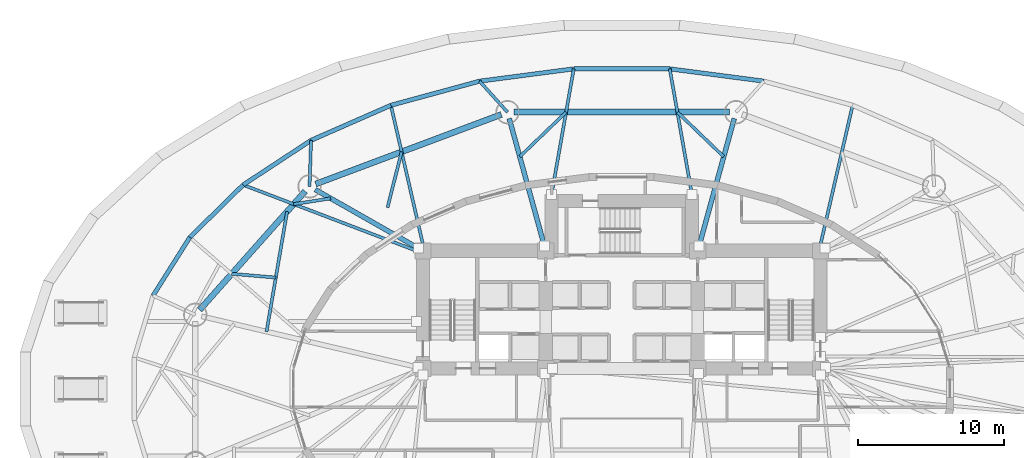
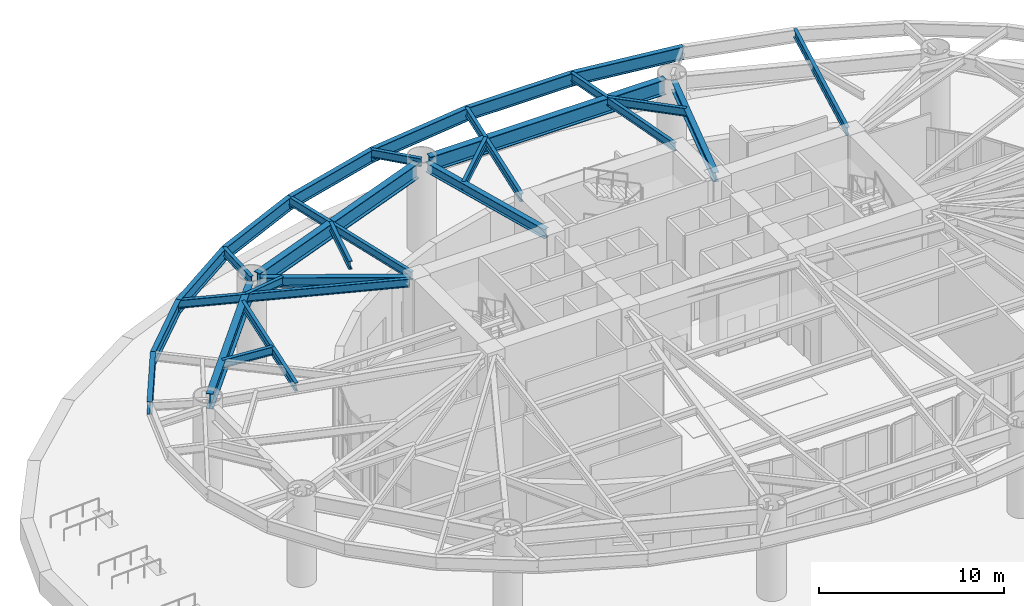
# One storey, part 8 of 21: 27 beams.
"""IFC4 building model written with IfcOpenShell, lengths in metres."""

from ifc_helpers import new_model, si_unit, direction, frame, origin, origin_2d, place, context, subcontext, project, spatial, i_section, extrude, material, material_profile, profile_set, type_object, element, save


model = new_model("IFC4")

# Units and contexts
model_context = context("Model", 3, precision=1e-05, world=origin(), true_north=direction((0.0, 1.0)))
body_context = subcontext(model_context, "Body", "Model", "MODEL_VIEW")
ifc_project = project(units=[si_unit("LENGTHUNIT", "METRE"), si_unit("AREAUNIT", "SQUARE_METRE"), si_unit("VOLUMEUNIT", "CUBIC_METRE"), si_unit("PLANEANGLEUNIT", "RADIAN"), si_unit("MASSUNIT", "GRAM", prefix="KILO")], contexts=[model_context])

# Site, building, storey
site_placement = place(None, origin())
site = spatial("IfcSite", under=ifc_project, at=site_placement, CompositionType="ELEMENT")
building_placement = place(site_placement, origin())
building = spatial("IfcBuilding", under=site, at=building_placement, Name="Keldmark Tower", CompositionType="ELEMENT")
storey_placement = place(building_placement, origin())
storey = spatial("IfcBuildingStorey", under=building, at=storey_placement, Name="L00", CompositionType="ELEMENT", Elevation=0.0)

# Beams
ifc_material_1 = material(Name="Steel ASTM A992 Grade 50", Category="steel")
ifc_material_profile_1 = material_profile(ifc_material_1, i_section(OverallWidth=0.402099609375, OverallDepth=1.011962890625, WebThickness=0.023681640625, FlangeThickness=0.0419921875, at=origin_2d()), Name="W40X297")
ifc_profile_set_1 = profile_set([ifc_material_profile_1], Name="Steel ASTM A992 Grade 50")
beam_type_1 = type_object("IfcBeamType", Name="Podium Primary Girder W40X297", PredefinedType="BEAM", material=ifc_profile_set_1)
beam_1_placement = place(storey_placement, frame((7.3662109375, 18.93212890625, 5.27392578125), z_axis=(-1.0, 0.0, 0.0), x_axis=(0.0, -1.0, 0.0)))
element("IfcBeam", 1, at=beam_1_placement, inside=storey, type_object=beam_type_1, Name="L00 Podium Ring Girder PG-R03", PredefinedType="BEAM", context=body_context, shape_type="SweptSolid", body=[
    extrude(i_section(OverallWidth=0.402099609375, OverallDepth=1.011962890625, WebThickness=0.023681640625, FlangeThickness=0.0419921875, at=origin_2d()), origin(), (0.0, 0.0, 1.0), 14.732421875),
])
beam_2_placement = place(storey_placement, frame((-8.23779296875, 18.774169921875, 5.27392578125), z_axis=(-0.936417954382, -0.350886612329, 0.0), x_axis=(0.350886612329, -0.936417954382, 0.0)))
element("IfcBeam", 2, at=beam_2_placement, inside=storey, type_object=beam_type_1, Name="L00 Podium Ring Girder PG-R04", PredefinedType="BEAM", context=body_context, shape_type="SweptSolid", body=[
    extrude(i_section(OverallWidth=0.402099609375, OverallDepth=1.011962890625, WebThickness=0.023681640625, FlangeThickness=0.0419921875, at=origin_2d()), origin(), (0.0, 0.0, 1.0), 13.557373046875),
])
beam_3_placement = place(storey_placement, frame((-21.65380859375, 13.523193359375, 5.27392578125), z_axis=(-0.66464984112, -0.747154996436, 0.0), x_axis=(0.747154996436, -0.66464984112, 0.0)))
element("IfcBeam", 3, at=beam_3_placement, inside=storey, type_object=beam_type_1, Name="L00 Podium Ring Girder PG-R05", PredefinedType="BEAM", context=body_context, shape_type="SweptSolid", body=[
    extrude(i_section(OverallWidth=0.402099609375, OverallDepth=1.011962890625, WebThickness=0.023681640625, FlangeThickness=0.0419921875, at=origin_2d()), origin(), (0.0, 0.0, 1.0), 10.85986328125),
])
ifc_material_2 = material(Name="Steel ASTM A992 Grade 50", Category="steel")
ifc_material_profile_2 = material_profile(ifc_material_2, i_section(OverallWidth=0.2099609375, OverallDepth=0.537109375, WebThickness=0.010986328125, FlangeThickness=0.017333984375, at=origin_2d()), Name="W21X68")
ifc_profile_set_2 = profile_set([ifc_material_profile_2], Name="Steel ASTM A992 Grade 50")
beam_type_2 = type_object("IfcBeamType", Name="Radial Tie Girder W21X68", PredefinedType="BEAM", material=ifc_profile_set_2)
beam_4_placement = place(storey_placement, frame((-24.29541015625, 3.9228515625, 5.511474609375), z_axis=(0.168727090465, 0.985662806919, 0.0), x_axis=(-0.985662806919, 0.168727090465, 0.0)))
element("IfcBeam", 4, at=beam_4_placement, inside=storey, type_object=beam_type_2, Name="L00 Framing Pin Header PH-002", PredefinedType="BEAM", context=body_context, shape_type="SweptSolid", body=[
    extrude(i_section(OverallWidth=0.2099609375, OverallDepth=0.537109375, WebThickness=0.010986328125, FlangeThickness=0.017333984375, at=origin_2d()), origin(), (0.0, 0.0, 1.0), 8.330078125),
])
beam_5_placement = place(storey_placement, frame((13.60009765625, 9.89990234375, 5.511474609375), z_axis=(0.224740658325, 0.974418614608, 0.0), x_axis=(-0.974418614608, 0.224740658325, 0.0)))
element("IfcBeam", 5, at=beam_5_placement, inside=storey, type_object=beam_type_2, Name="L00 Perimeter Radial Tie Girder RT-06", PredefinedType="BEAM", context=body_context, shape_type="SweptSolid", body=[
    extrude(i_section(OverallWidth=0.2099609375, OverallDepth=0.537109375, WebThickness=0.010986328125, FlangeThickness=0.017333984375, at=origin_2d()), origin(), (0.0, 0.0, 1.0), 9.751953125),
])
beam_6_placement = place(storey_placement, frame((6.9755859375, 15.885009765625, 5.511474609375), z_axis=(-0.720880013375, 0.69305988653, 0.0), x_axis=(-0.69305988653, -0.720880013375, 0.0)))
element("IfcBeam", 6, at=beam_6_placement, inside=storey, type_object=beam_type_2, Name="L00 Framing Pin Header PH-009", PredefinedType="BEAM", context=body_context, shape_type="SweptSolid", body=[
    extrude(i_section(OverallWidth=0.2099609375, OverallDepth=0.537109375, WebThickness=0.010986328125, FlangeThickness=0.017333984375, at=origin_2d()), origin(), (0.0, 0.0, 1.0), 4.396728515625),
])
beam_7_placement = place(storey_placement, frame((4.800048828125, 13.300048828125, 5.511474609375), z_axis=(-0.173759798583, 0.984788064711, 0.0), x_axis=(-0.984788064711, -0.173759798583, 0.0)))
element("IfcBeam", 7, at=beam_7_placement, inside=storey, type_object=beam_type_2, Name="L00 Perimeter Radial Tie Girder RT-08", PredefinedType="BEAM", context=body_context, shape_type="SweptSolid", body=[
    extrude(i_section(OverallWidth=0.2099609375, OverallDepth=0.537109375, WebThickness=0.010986328125, FlangeThickness=0.017333984375, at=origin_2d()), origin(), (0.0, 0.0, 1.0), 8.726806640625),
])
beam_8_placement = place(storey_placement, frame((-6.9755859375, 15.885009765625, 5.511474609375), z_axis=(0.720880013375, 0.69305988653, 0.0), x_axis=(-0.69305988653, 0.720880013375, 0.0)))
element("IfcBeam", 8, at=beam_8_placement, inside=storey, type_object=beam_type_2, Name="L00 Framing Pin Header PH-010", PredefinedType="BEAM", context=body_context, shape_type="SweptSolid", body=[
    extrude(i_section(OverallWidth=0.2099609375, OverallDepth=0.537109375, WebThickness=0.010986328125, FlangeThickness=0.017333984375, at=origin_2d()), origin(), (0.0, 0.0, 1.0), 4.396728515625),
])
beam_9_placement = place(storey_placement, frame((-4.800048828125, 13.300048828125, 5.511474609375), z_axis=(0.173759798583, 0.984788064711, 0.0), x_axis=(-0.984788064711, 0.173759798583, 0.0)))
element("IfcBeam", 9, at=beam_9_placement, inside=storey, type_object=beam_type_2, Name="L00 Perimeter Radial Tie Girder RT-09", PredefinedType="BEAM", context=body_context, shape_type="SweptSolid", body=[
    extrude(i_section(OverallWidth=0.2099609375, OverallDepth=0.537109375, WebThickness=0.010986328125, FlangeThickness=0.017333984375, at=origin_2d()), origin(), (0.0, 0.0, 1.0), 8.726806640625),
])
beam_10_placement = place(storey_placement, frame((-7.81640625, 18.93212890625, 5.511474609375), z_axis=(-0.668898533975, 0.743353718795, 0.0), x_axis=(-0.743353718795, -0.668898533975, 0.0)))
element("IfcBeam", 10, at=beam_10_placement, inside=storey, type_object=beam_type_2, Name="L00 Perimeter Column Bracket RT-10", PredefinedType="BEAM", context=body_context, shape_type="SweptSolid", body=[
    extrude(i_section(OverallWidth=0.2099609375, OverallDepth=0.537109375, WebThickness=0.010986328125, FlangeThickness=0.017333984375, at=origin_2d()), origin(), (0.0, 0.0, 1.0), 2.852783203125),
])
beam_11_placement = place(storey_placement, frame((-16.02197265625, 12.41259765625, 5.511474609375), z_axis=(0.245606779521, 0.969369542462, 0.0), x_axis=(-0.969369542462, 0.245606779521, 0.0)))
element("IfcBeam", 11, at=beam_11_placement, inside=storey, type_object=beam_type_2, Name="L00 Framing Pin Header PH-011", PredefinedType="BEAM", context=body_context, shape_type="SweptSolid", body=[
    extrude(i_section(OverallWidth=0.2099609375, OverallDepth=0.537109375, WebThickness=0.010986328125, FlangeThickness=0.017333984375, at=origin_2d()), origin(), (0.0, 0.0, 1.0), 3.926513671875),
])
beam_12_placement = place(storey_placement, frame((-13.60009765625, 9.89990234375, 5.511474609375), z_axis=(-0.224740658325, 0.974418614608, 0.0), x_axis=(-0.974418614608, -0.224740658325, 0.0)))
element("IfcBeam", 12, at=beam_12_placement, inside=storey, type_object=beam_type_2, Name="L00 Perimeter Radial Tie Girder RT-11", PredefinedType="BEAM", context=body_context, shape_type="SweptSolid", body=[
    extrude(i_section(OverallWidth=0.2099609375, OverallDepth=0.537109375, WebThickness=0.010986328125, FlangeThickness=0.017333984375, at=origin_2d()), origin(), (0.0, 0.0, 1.0), 9.751953125),
])
beam_13_placement = place(storey_placement, frame((-21.3544921875, 13.859375, 5.511474609375), z_axis=(0.032491176768, 0.999472022336, 0.0), x_axis=(-0.999472022336, 0.032491176768, 0.0)))
element("IfcBeam", 13, at=beam_13_placement, inside=storey, type_object=beam_type_2, Name="L00 Perimeter Column Bracket RT-12", PredefinedType="BEAM", context=body_context, shape_type="SweptSolid", body=[
    extrude(i_section(OverallWidth=0.2099609375, OverallDepth=0.537109375, WebThickness=0.010986328125, FlangeThickness=0.017333984375, at=origin_2d()), origin(), (0.0, 0.0, 1.0), 3.1484375),
])
beam_14_placement = place(storey_placement, frame((-19.904541015625, 13.034912109375, 5.511474609375), z_axis=(-0.988136063904, -0.153580985843, 0.0), x_axis=(0.153580985843, -0.988136063904, 0.0)))
element("IfcBeam", 14, at=beam_14_placement, inside=storey, type_object=beam_type_2, Name="L00 Framing Pin Header PH-012", PredefinedType="BEAM", context=body_context, shape_type="SweptSolid", body=[
    extrude(i_section(OverallWidth=0.2099609375, OverallDepth=0.537109375, WebThickness=0.010986328125, FlangeThickness=0.017333984375, at=origin_2d()), origin(), (0.0, 0.0, 1.0), 2.564208984375),
])
beam_15_placement = place(storey_placement, frame((-14.050048828125, 9.449951171875, 5.511474609375), z_axis=(-0.934642662924, 0.355588375293, 0.0), x_axis=(-0.355588375293, -0.934642662924, 0.0)))
element("IfcBeam", 15, at=beam_15_placement, inside=storey, type_object=beam_type_2, Name="L00 Perimeter Radial Tie Girder RT-13", PredefinedType="BEAM", context=body_context, shape_type="SweptSolid", body=[
    extrude(i_section(OverallWidth=0.2099609375, OverallDepth=0.537109375, WebThickness=0.010986328125, FlangeThickness=0.017333984375, at=origin_2d()), origin(), (0.0, 0.0, 1.0), 12.67431640625),
])
beam_16_placement = place(storey_placement, frame((-23.662841796875, 7.61767578125, 5.511474609375), z_axis=(-0.996371125151, 0.085115104213, 0.0), x_axis=(-0.085115104213, -0.996371125151, 0.0)))
element("IfcBeam", 16, at=beam_16_placement, inside=storey, type_object=beam_type_2, Name="L00 Framing Pin Header PH-013", PredefinedType="BEAM", context=body_context, shape_type="SweptSolid", body=[
    extrude(i_section(OverallWidth=0.2099609375, OverallDepth=0.537109375, WebThickness=0.010986328125, FlangeThickness=0.017333984375, at=origin_2d()), origin(), (0.0, 0.0, 1.0), 3.026123046875),
])
ifc_material_3 = material(Name="Steel ASTM A992 Grade 50", Category="steel")
ifc_material_profile_3 = material_profile(ifc_material_3, i_section(OverallWidth=0.326904296875, OverallDepth=0.6220703125, WebThickness=0.015380859375, FlangeThickness=0.0244140625, at=origin_2d()), Name="W24X131")
ifc_profile_set_3 = profile_set([ifc_material_profile_3], Name="Steel ASTM A992 Grade 50")
beam_type_3 = type_object("IfcBeamType", Name="Spandrel Ring Beam W24X131", PredefinedType="SPANDREL", material=ifc_profile_set_3)
for number, where, z_axis, x_axis, name in (
    (17, (7.696533203125, 18.498291015625, 5.468994140625), (-0.265960165124, -0.963984019871, 0.0), (0.963984019871, -0.265960165124, 0.0), "L00 Podium Radial Girder PG-C03"),
    (18, (-7.696533203125, 18.498291015625, 5.468994140625), (0.265960165124, -0.963984019871, 0.0), (0.963984019871, 0.265960165124, 0.0), "L00 Podium Radial Girder PG-C04"),
):
    element("IfcBeam", number, at=place(storey_placement, frame(where, z_axis=z_axis, x_axis=x_axis)), inside=storey, type_object=beam_type_3, Name=name, PredefinedType="SPANDREL", context=body_context, shape_type="SweptSolid", body=[
        extrude(i_section(OverallWidth=0.326904296875, OverallDepth=0.6220703125, WebThickness=0.015380859375, FlangeThickness=0.0244140625, at=origin_2d()), origin(), (0.0, 0.0, 1.0), 9.036376953125),
    ])
beam_17_placement = place(storey_placement, frame((-20.96337890625, 13.636962890625, 5.468994140625), z_axis=(0.869293918493, -0.494295542434, 0.0), x_axis=(0.494295542434, 0.869293918493, 0.0)))
element("IfcBeam", 19, at=beam_17_placement, inside=storey, type_object=beam_type_3, Name="L00 Podium Radial Girder PG-C05", PredefinedType="SPANDREL", context=body_context, shape_type="SweptSolid", body=[
    extrude(i_section(OverallWidth=0.326904296875, OverallDepth=0.6220703125, WebThickness=0.015380859375, FlangeThickness=0.0244140625, at=origin_2d()), origin(), (0.0, 0.0, 1.0), 8.120361328125),
])
ifc_material_4 = material(Name="Steel ASTM A992 Grade 50", Category="steel")
ifc_material_profile_4 = material_profile(ifc_material_4, i_section(OverallWidth=0.2919921875, OverallDepth=0.85888671875, WebThickness=0.01708984375, FlangeThickness=0.031005859375, at=origin_2d()), Name="W33X169")
ifc_profile_set_4 = profile_set([ifc_material_profile_4], Name="Steel ASTM A992 Grade 50")
beam_type_4 = type_object("IfcBeamType", Name="Spandrel Ring Beam W33X169", PredefinedType="SPANDREL", material=ifc_profile_set_4)
beam_18_placement = place(storey_placement, frame((9.724609375, 21.052734375, 5.3505859375), z_axis=(-0.991576921472, 0.129519144545, 0.0), x_axis=(-0.129519144545, -0.991576921472, 0.0)))
element("IfcBeam", 20, at=beam_18_placement, inside=storey, type_object=beam_type_4, Name="L00 Perimeter Spandrel Ring Beam SRB-07", PredefinedType="SPANDREL", context=body_context, shape_type="SweptSolid", body=[
    extrude(i_section(OverallWidth=0.2919921875, OverallDepth=0.85888671875, WebThickness=0.01708984375, FlangeThickness=0.031005859375, at=origin_2d()), origin(), (0.0, 0.0, 1.0), 6.49560546875),
])
beam_19_placement = place(storey_placement, frame((3.28369140625, 21.89404296875, 5.3505859375), z_axis=(-1.0, 0.0, 0.0), x_axis=(0.0, -1.0, 0.0)))
element("IfcBeam", 21, at=beam_19_placement, inside=storey, type_object=beam_type_4, Name="L00 Perimeter Spandrel Ring Beam SRB-08", PredefinedType="SPANDREL", context=body_context, shape_type="SweptSolid", body=[
    extrude(i_section(OverallWidth=0.2919921875, OverallDepth=0.85888671875, WebThickness=0.01708984375, FlangeThickness=0.031005859375, at=origin_2d()), origin(), (0.0, 0.0, 1.0), 6.5673828125),
])
beam_20_placement = place(storey_placement, frame((-3.28369140625, 21.89404296875, 5.3505859375), z_axis=(-0.991576921472, -0.129519144545, 0.0), x_axis=(0.129519144545, -0.991576921472, 0.0)))
element("IfcBeam", 22, at=beam_20_placement, inside=storey, type_object=beam_type_4, Name="L00 Perimeter Spandrel Ring Beam SRB-09", PredefinedType="SPANDREL", context=body_context, shape_type="SweptSolid", body=[
    extrude(i_section(OverallWidth=0.2919921875, OverallDepth=0.85888671875, WebThickness=0.01708984375, FlangeThickness=0.031005859375, at=origin_2d()), origin(), (0.0, 0.0, 1.0), 6.49560546875),
])
beam_21_placement = place(storey_placement, frame((-9.724609375, 21.052734375, 5.3505859375), z_axis=(-0.964936550718, -0.262483243445, 0.0), x_axis=(0.262483243445, -0.964936550718, 0.0)))
element("IfcBeam", 23, at=beam_21_placement, inside=storey, type_object=beam_type_4, Name="L00 Perimeter Spandrel Ring Beam SRB-10", PredefinedType="SPANDREL", context=body_context, shape_type="SweptSolid", body=[
    extrude(i_section(OverallWidth=0.2919921875, OverallDepth=0.85888671875, WebThickness=0.01708984375, FlangeThickness=0.031005859375, at=origin_2d()), origin(), (0.0, 0.0, 1.0), 6.28759765625),
])
beam_22_placement = place(storey_placement, frame((-15.791748046875, 19.40234375, 5.3505859375), z_axis=(-0.91570760638, -0.401845218484, 0.0), x_axis=(0.401845218484, -0.91570760638, 0.0)))
element("IfcBeam", 24, at=beam_22_placement, inside=storey, type_object=beam_type_4, Name="L00 Perimeter Spandrel Ring Beam SRB-11", PredefinedType="SPANDREL", context=body_context, shape_type="SweptSolid", body=[
    extrude(i_section(OverallWidth=0.2919921875, OverallDepth=0.85888671875, WebThickness=0.01708984375, FlangeThickness=0.031005859375, at=origin_2d()), origin(), (0.0, 0.0, 1.0), 5.963134765625),
])
beam_23_placement = place(storey_placement, frame((-21.252197265625, 17.006103515625, 5.3505859375), z_axis=(-0.835897322981, -0.548885840073, 0.0), x_axis=(0.548885840073, -0.835897322981, 0.0)))
element("IfcBeam", 25, at=beam_23_placement, inside=storey, type_object=beam_type_4, Name="L00 Perimeter Spandrel Ring Beam SRB-12", PredefinedType="SPANDREL", context=body_context, shape_type="SweptSolid", body=[
    extrude(i_section(OverallWidth=0.2919921875, OverallDepth=0.85888671875, WebThickness=0.01708984375, FlangeThickness=0.031005859375, at=origin_2d()), origin(), (0.0, 0.0, 1.0), 5.555419921875),
])
beam_24_placement = place(storey_placement, frame((-25.89599609375, 13.956787109375, 5.3505859375), z_axis=(-0.713165222071, -0.700995981464, 0.0), x_axis=(0.700995981464, -0.713165222071, 0.0)))
element("IfcBeam", 26, at=beam_24_placement, inside=storey, type_object=beam_type_4, Name="L00 Perimeter Spandrel Ring Beam SRB-13", PredefinedType="SPANDREL", context=body_context, shape_type="SweptSolid", body=[
    extrude(i_section(OverallWidth=0.2919921875, OverallDepth=0.85888671875, WebThickness=0.01708984375, FlangeThickness=0.031005859375, at=origin_2d()), origin(), (0.0, 0.0, 1.0), 5.11572265625),
])
beam_25_placement = place(storey_placement, frame((-29.54443359375, 10.37060546875, 5.3505859375), z_axis=(-0.53349762721, -0.845801561693, 0.0), x_axis=(0.845801561693, -0.53349762721, 0.0)))
element("IfcBeam", 27, at=beam_25_placement, inside=storey, type_object=beam_type_4, Name="L00 Perimeter Spandrel Ring Beam SRB-14", PredefinedType="SPANDREL", context=body_context, shape_type="SweptSolid", body=[
    extrude(i_section(OverallWidth=0.2919921875, OverallDepth=0.85888671875, WebThickness=0.01708984375, FlangeThickness=0.031005859375, at=origin_2d()), origin(), (0.0, 0.0, 1.0), 4.710693359375),
])

save(model, "model.ifc")
